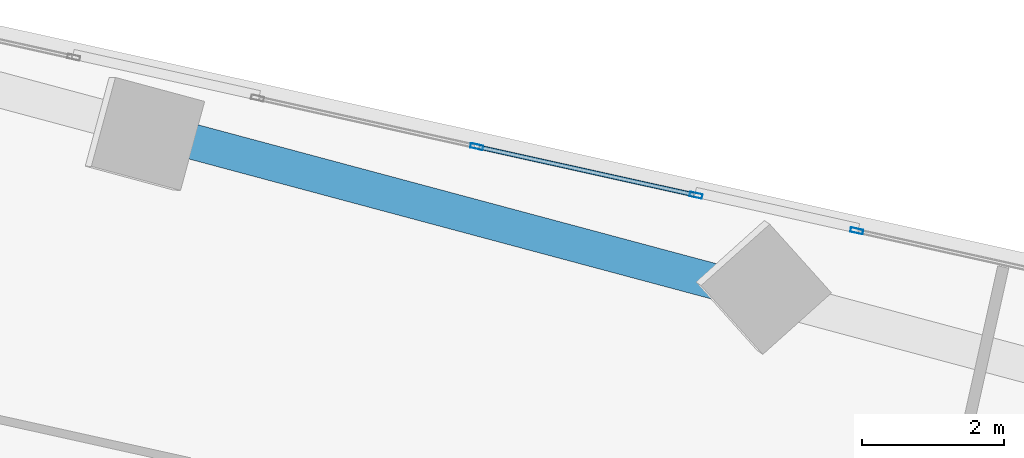
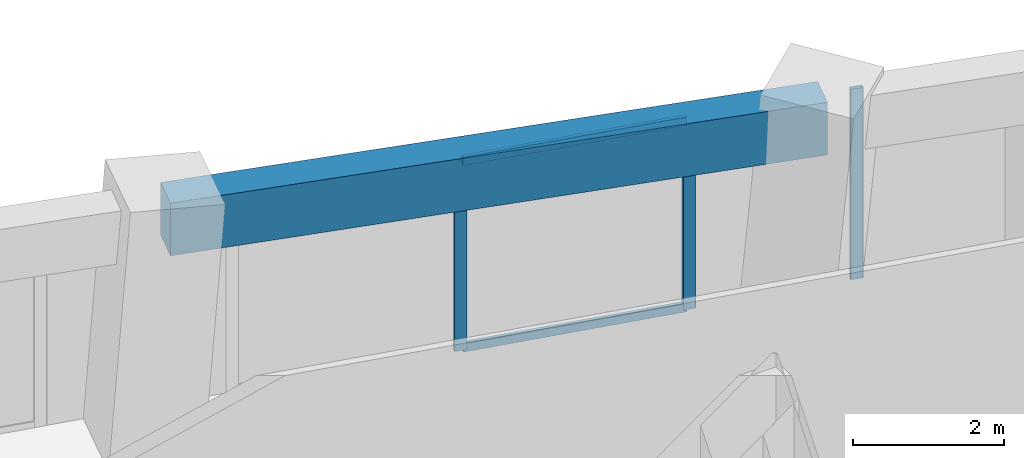
# One storey, part 18 of 26: 5 members, 1 beam, 2 elements without a shape of their own.
"""IFC4 building model written with IfcOpenShell, lengths in metres."""

from ifc_helpers import new_model, si_unit, direction, frame, origin, origin_2d, place, context, subcontext, project, spatial, rectangle, hollow_rectangle, extrude, source, transform, mapped, material, material_profile, profile_set, type_object, element, aggregate, save


model = new_model("IFC4")

# Units and contexts
model_context = context("Model", 3, precision=1e-05, world=origin(), true_north=direction((0.0, 1.0)))
body_context = subcontext(model_context, "Body", "Model", "MODEL_VIEW")
ifc_project = project(units=[si_unit("LENGTHUNIT", "METRE"), si_unit("AREAUNIT", "SQUARE_METRE"), si_unit("VOLUMEUNIT", "CUBIC_METRE"), si_unit("PLANEANGLEUNIT", "RADIAN"), si_unit("MASSUNIT", "GRAM", prefix="KILO")], contexts=[model_context])

# Site, building, storey
site_placement = place(None, origin())
site = spatial("IfcSite", under=ifc_project, at=site_placement, CompositionType="ELEMENT")
building_placement = place(site_placement, origin())
building = spatial("IfcBuilding", under=site, at=building_placement, Name="Torre Montelarca", CompositionType="ELEMENT")
storey_placement = place(building_placement, frame((0.0, 0.0, 95.800048828125)))
storey = spatial("IfcBuildingStorey", under=building, at=storey_placement, Name="L21", CompositionType="ELEMENT", Elevation=95.800048828125)

# Beam
ifc_material_1 = material(Name="Concrete C55/67", Category="concrete")
ifc_material_profile_1 = material_profile(ifc_material_1, rectangle(XDim=0.5, YDim=0.85009765625, at=origin_2d()), Name="RCB500X850", Category="concrete")
ifc_profile_set_1 = profile_set([ifc_material_profile_1], Name="Concrete C55/67")
beam_type = type_object("IfcBeamType", Name="BM-SP-RC850-EXT", PredefinedType="SPANDREL", material=ifc_profile_set_1)
shared_shape_1 = source(origin(), body_context, "Body", "SweptSolid", [
    extrude(rectangle(XDim=0.5, YDim=0.85009765625, at=origin_2d()), origin(), (0.0, 0.0, 1.0), 9.0),
])
beam_placement = place(storey_placement, frame((22.040283203125, 47.53955078125, 3.534912109375), z_axis=(0.965926740751, -0.25881563226, 0.0), x_axis=(0.25881563226, 0.965926740751, 0.0)))
element("IfcBeam", 1, at=beam_placement, inside=storey, type_object=beam_type, Name="L21 Grid Girder X 18.0-27.0 at Y=47.1", PredefinedType="SPANDREL", context=body_context, shape_type="MappedRepresentation", body=[
    mapped(shared_shape_1, transform((0.0, 0.0, 0.0), scale=1.0)),
])

# Curtain wall, member
ifc_material_2 = material(Name="Insulated low-E laminated glass", Category="glass")
curtain_wall_type = type_object("IfcCurtainWallType", Name="CW-SYS-Z1", PredefinedType="USERDEFINED", material=ifc_material_2)
curtain_wall_1_placement = place(storey_placement, origin())
curtain_wall_1 = element("IfcCurtainWall", 2, at=curtain_wall_1_placement, inside=storey, type_object=curtain_wall_type, Name="L21 Curtain Wall Run CW-T3-L21-E08-B1", ObjectType="UNITISED GLAZING", PredefinedType="USERDEFINED")
ifc_material_3 = material(Name="Anodised aluminium AA 6063-T6", Category="aluminium")
ifc_material_profile_2 = material_profile(ifc_material_3, hollow_rectangle(XDim=0.06494140625, YDim=0.179931640625, WallThickness=0.00390625, InnerFilletRadius=0.00390625, OuterFilletRadius=0.008056640625, at=origin_2d()), Name="ALU65X180X4", Category="aluminium")
ifc_profile_set_2 = profile_set([ifc_material_profile_2], Name="Anodised aluminium AA 6063-T6")
member_type_1 = type_object("IfcMemberType", Name="CWM-ALU180", PredefinedType="MULLION", material=ifc_profile_set_2)
shared_shape_2 = source(origin(), body_context, "Body", "SweptSolid", [
    extrude(hollow_rectangle(XDim=0.06494140625, YDim=0.179931640625, WallThickness=0.00390625, InnerFilletRadius=0.00390625, OuterFilletRadius=0.008056640625, at=origin_2d()), origin(), (0.0, 0.0, 1.0), 3.074951171875),
])
member_1_placement = place(storey_placement, frame((31.80419921875, 46.17578125, 0.0), z_axis=(0.0, 0.0, 1.0), x_axis=(-0.216441875294, -0.976295505787, 0.0)))
member_1 = element("IfcMember", 3, at=member_1_placement, type_object=member_type_1, Name="CW mullion 3", PredefinedType="MULLION", context=body_context, shape_type="MappedRepresentation", body=[
    mapped(shared_shape_2, transform((0.0, 0.0, 0.0), scale=1.0)),
])
aggregate(curtain_wall_1, [member_1])

# Curtain wall, members
curtain_wall_2_placement = place(storey_placement, origin())
curtain_wall_2 = element("IfcCurtainWall", 4, at=curtain_wall_2_placement, inside=storey, type_object=curtain_wall_type, Name="L21 Curtain Wall Run CW-T3-L21-E08-B2", ObjectType="UNITISED GLAZING", PredefinedType="USERDEFINED")
member_2_placement = place(storey_placement, frame((29.5341796875, 46.678955078125, 0.0), z_axis=(0.0, 0.0, 1.0), x_axis=(-0.216442754689, -0.976295310827, 0.0)))
member_2 = element("IfcMember", 5, at=member_2_placement, type_object=member_type_1, Name="CW mullion 1", PredefinedType="MULLION", context=body_context, shape_type="MappedRepresentation", body=[
    mapped(shared_shape_2, transform((0.0, 0.0, 0.0), scale=1.0)),
])
member_3_placement = place(storey_placement, frame((26.439453125, 47.364990234375, 0.0), z_axis=(0.0, 0.0, 1.0), x_axis=(-0.216442754689, -0.976295310827, 0.0)))
member_3 = element("IfcMember", 6, at=member_3_placement, type_object=member_type_1, Name="CW mullion 2", PredefinedType="MULLION", context=body_context, shape_type="MappedRepresentation", body=[
    mapped(shared_shape_2, transform((0.0, 0.0, 0.0), scale=1.0)),
])
ifc_material_profile_3 = material_profile(ifc_material_3, hollow_rectangle(XDim=0.06494140625, YDim=0.139892578125, WallThickness=0.00390625, InnerFilletRadius=0.00390625, OuterFilletRadius=0.008056640625, at=origin_2d()), Name="ALU65X140X4", Category="aluminium")
ifc_profile_set_3 = profile_set([ifc_material_profile_3], Name="Anodised aluminium AA 6063-T6")
member_type_2 = type_object("IfcMemberType", Name="CWT-ALU140", PredefinedType="USERDEFINED", material=ifc_profile_set_3)
shared_shape_3 = source(origin(), body_context, "Body", "SweptSolid", [
    extrude(hollow_rectangle(XDim=0.06494140625, YDim=0.139892578125, WallThickness=0.00390625, InnerFilletRadius=0.00390625, OuterFilletRadius=0.008056640625, at=origin_2d()), origin(), (0.0, 0.0, 1.0), 3.104736328125),
])
member_4_placement = place(storey_placement, frame((29.50244140625, 46.68603515625, 0.032470703125), z_axis=(-0.976305326559, 0.216397572382, 0.0), x_axis=(-0.216397572382, -0.976305326559, 0.0)))
member_4 = element("IfcMember", 7, at=member_4_placement, type_object=member_type_2, Name="CW transom 1.1", ObjectType="TRANSOM", PredefinedType="USERDEFINED", context=body_context, shape_type="MappedRepresentation", body=[
    mapped(shared_shape_3, transform((0.0, 0.0, 0.0), scale=1.0)),
])
member_5_placement = place(storey_placement, frame((29.50244140625, 46.68603515625, 3.04248046875), z_axis=(-0.976305326559, 0.216397572382, 0.0), x_axis=(-0.216397572382, -0.976305326559, 0.0)))
member_5 = element("IfcMember", 8, at=member_5_placement, type_object=member_type_2, Name="CW transom 1.2", ObjectType="TRANSOM", PredefinedType="USERDEFINED", context=body_context, shape_type="MappedRepresentation", body=[
    mapped(shared_shape_3, transform((0.0, 0.0, 0.0), scale=1.0)),
])
aggregate(curtain_wall_2, [member_2, member_3, member_4, member_5])

save(model, "model.ifc")
